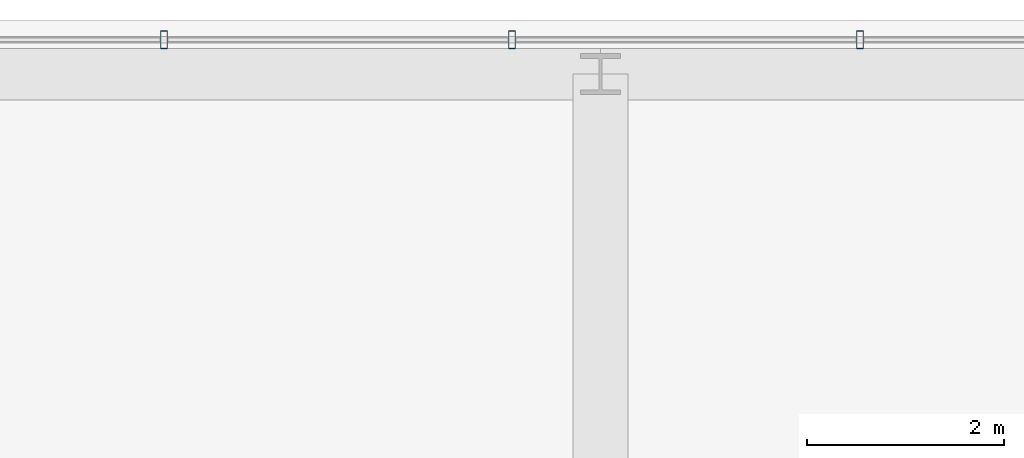
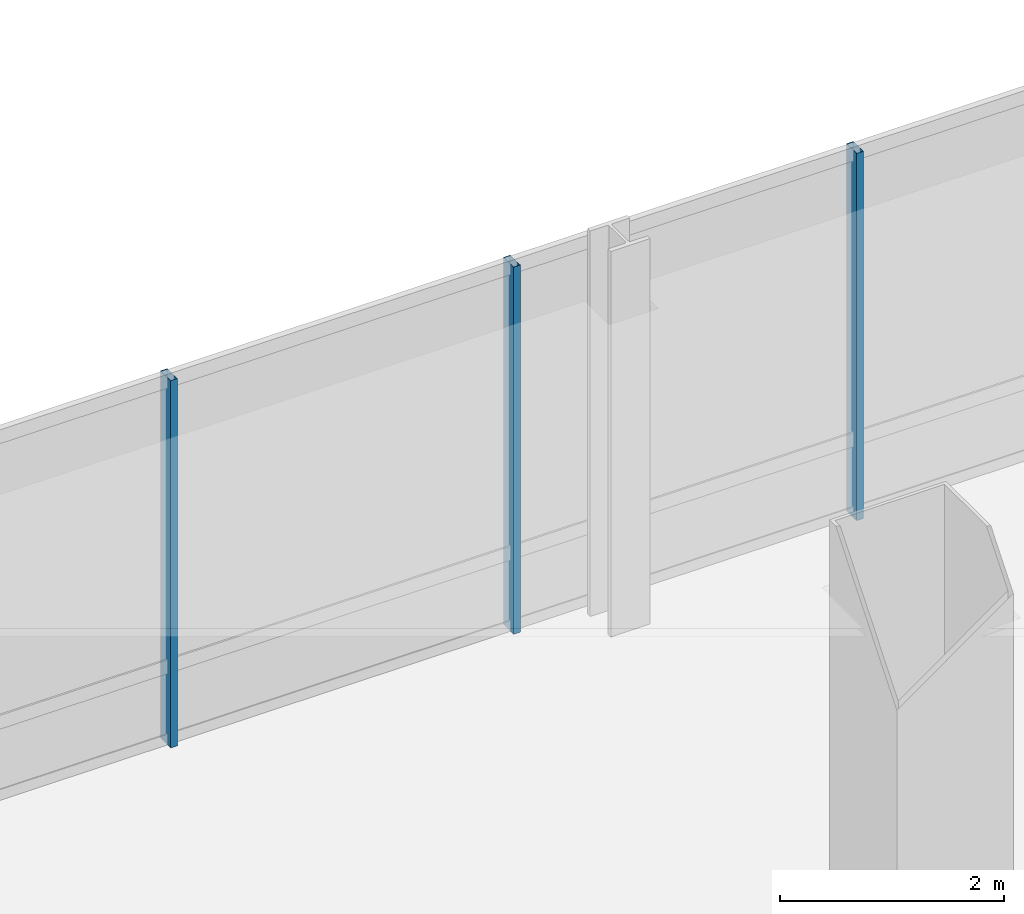
# One storey, part 27 of 42: 3 members, 1 element without a shape of its own.
"""IFC4 building model written with IfcOpenShell, lengths in metres."""

from ifc_helpers import new_model, si_unit, direction, frame, origin, origin_2d, place, context, subcontext, project, spatial, hollow_rectangle, extrude, material, material_profile, profile_set, type_object, element, aggregate, save


model = new_model("IFC4")

# Units and contexts
model_context = context("Model", 3, precision=1e-05, world=origin(), true_north=direction((0.0, 1.0)))
body_context = subcontext(model_context, "Body", "Model", "MODEL_VIEW")
ifc_project = project(units=[si_unit("LENGTHUNIT", "METRE"), si_unit("AREAUNIT", "SQUARE_METRE"), si_unit("VOLUMEUNIT", "CUBIC_METRE"), si_unit("PLANEANGLEUNIT", "RADIAN"), si_unit("MASSUNIT", "GRAM", prefix="KILO")], contexts=[model_context])

# Site, building, storey
site_placement = place(None, origin())
site = spatial("IfcSite", under=ifc_project, at=site_placement, CompositionType="ELEMENT")
building_placement = place(site_placement, origin())
building = spatial("IfcBuilding", under=site, at=building_placement, Name="Punatoya Terracotta Tower", CompositionType="ELEMENT")
storey_placement = place(building_placement, frame((0.0, 0.0, 296.39990234375)))
storey = spatial("IfcBuildingStorey", under=building, at=storey_placement, Name="L70", CompositionType="ELEMENT", Elevation=296.39990234375)

# Curtain wall, members
ifc_material_1 = material(Name="Aluminium 6063-T6 + Double Low-E Glass", Category="aluminium")
curtain_wall_type = type_object("IfcCurtainWallType", Name="CW-M3", PredefinedType="NOTDEFINED", material=ifc_material_1)
curtain_wall_placement = place(storey_placement, origin())
curtain_wall = element("IfcCurtainWall", 1, at=curtain_wall_placement, inside=storey, type_object=curtain_wall_type, Name="L70 Curtain Wall CW-L70-N09-1", PredefinedType="NOTDEFINED")
ifc_material_2 = material(Name="Aluminium 6063-T6", Category="aluminium")
ifc_material_profile = material_profile(ifc_material_2, hollow_rectangle(XDim=0.070068359375, YDim=0.179931640625, WallThickness=0.00390625, at=origin_2d()))
ifc_profile_set = profile_set([ifc_material_profile], Name="Aluminium 6063-T6")
member_type = type_object("IfcMemberType", Name="CW-MUL-M3", PredefinedType="MULLION", material=ifc_profile_set)
member_1_placement = place(storey_placement, frame((6.43505859375, 23.25, 0.0), z_axis=(0.0, 0.0, 1.0), x_axis=(1.0, 0.0, 0.0)))
member_1 = element("IfcMember", 2, at=member_1_placement, type_object=member_type, Name="CW-L70-N09-1 Mullion 03", PredefinedType="MULLION", context=body_context, shape_type="SweptSolid", body=[
    extrude(hollow_rectangle(XDim=0.070068359375, YDim=0.179931640625, WallThickness=0.00390625, at=origin_2d()), origin(), (0.0, 0.0, 1.0), 4.0),
])
member_2_placement = place(storey_placement, frame((2.90087890625, 23.25, 0.0), z_axis=(0.0, 0.0, 1.0), x_axis=(1.0, 0.0, 0.0)))
member_2 = element("IfcMember", 3, at=member_2_placement, type_object=member_type, Name="CW-L70-N09-1 Mullion 04", PredefinedType="MULLION", context=body_context, shape_type="SweptSolid", body=[
    extrude(hollow_rectangle(XDim=0.070068359375, YDim=0.179931640625, WallThickness=0.00390625, at=origin_2d()), origin(), (0.0, 0.0, 1.0), 4.0),
])
member_3_placement = place(storey_placement, frame((-0.633056640625, 23.25, 0.0), z_axis=(0.0, 0.0, 1.0), x_axis=(1.0, 0.0, 0.0)))
member_3 = element("IfcMember", 4, at=member_3_placement, type_object=member_type, Name="CW-L70-N09-1 Mullion 05", PredefinedType="MULLION", context=body_context, shape_type="SweptSolid", body=[
    extrude(hollow_rectangle(XDim=0.070068359375, YDim=0.179931640625, WallThickness=0.00390625, at=origin_2d()), origin(), (0.0, 0.0, 1.0), 4.0),
])
aggregate(curtain_wall, [member_1, member_2, member_3])

save(model, "model.ifc")
